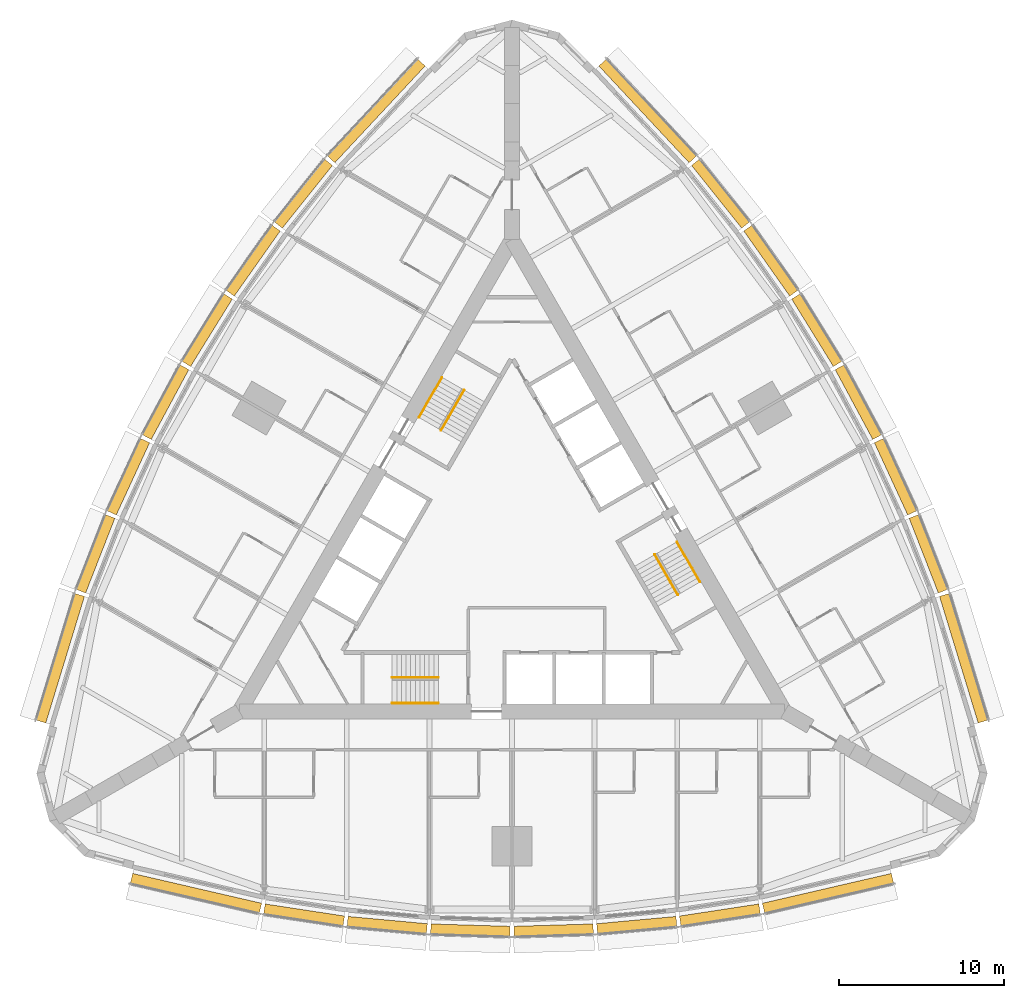
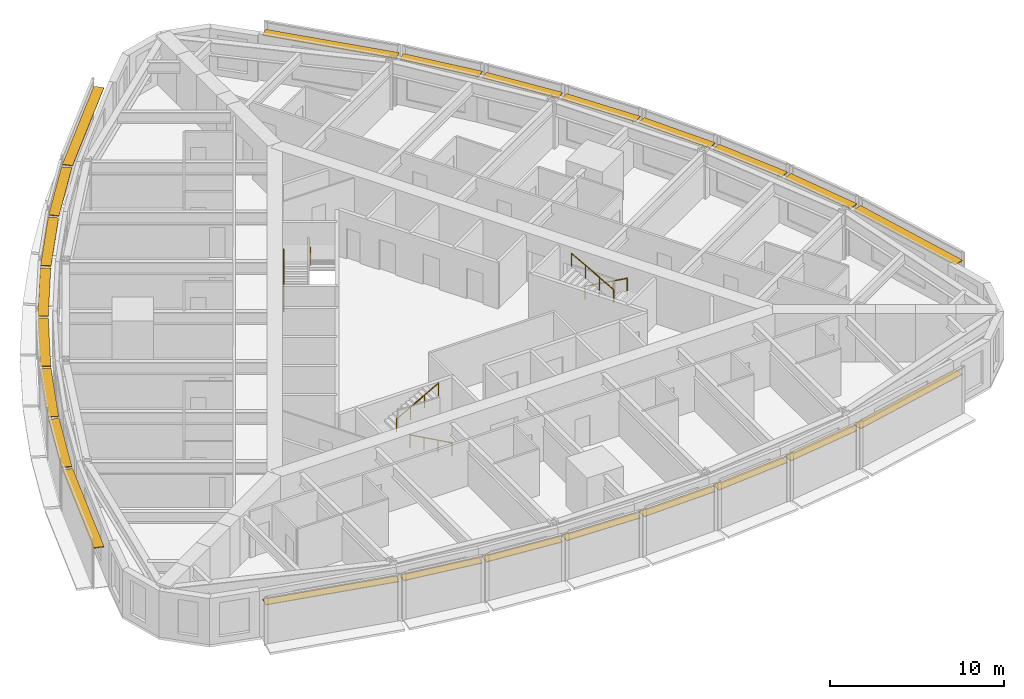
# One storey, part 14 of 14: 24 shading devices, 6 railings.
"""IFC4 building model written with IfcOpenShell, lengths in metres."""

import ifcopenshell
import ifcopenshell.guid

model = None  # the IFC model being written
_history = None  # IfcOwnerHistory: only IFC2X3 demands one
_inside = {}  # id of a spatial element -> (the spatial element, [elements in it])
_under = {}  # id of a project, library or spatial element -> (it, [spatial elements below it])
_declared = {}  # id of a project -> (the project, [libraries it declares])
_typed = {}  # id of a type object -> (the type object, [elements of that type])
_made_of = {}  # id of a material, layer set ... -> (it, [elements and type objects made of it])


def new_model(schema):
    """Start an empty IFC model of exactly this schema.

    Asked for "IFC4X3", IfcOpenShell would pick the latest addendum, in which some entities
    have other attributes; the version numbers below select the first issue.
    IFC2X3 requires an IfcOwnerHistory on every rooted entity: one is made here for all.
    """
    global model, _history
    if schema == "IFC4X3":
        model = ifcopenshell.file(schema_version=(4, 3, 0, 0))
    else:
        model = ifcopenshell.file(schema=schema)
    _inside.clear()
    _under.clear()
    _declared.clear()
    _typed.clear()
    _made_of.clear()
    _history = None
    if model.schema == "IFC2X3":
        org = make("IfcOrganization", Name="unknown")
        user = make(
            "IfcPersonAndOrganization",
            ThePerson=make("IfcPerson", FamilyName="unknown"),
            TheOrganization=org,
        )
        app = make(
            "IfcApplication",
            ApplicationDeveloper=org,
            Version="unknown",
            ApplicationFullName="unknown",
            ApplicationIdentifier="unknown",
        )
        _history = make(
            "IfcOwnerHistory",
            OwningUser=user,
            OwningApplication=app,
            ChangeAction="ADDED",
            CreationDate=0,
        )
    return model


def make(cls, **values):
    """One entity of the class cls with the attributes given. An attribute that is None is left unset."""
    return model.create_entity(
        cls, **{name: value for name, value in values.items() if value is not None}
    )


def rooted(cls, **values):
    """An entity with a GlobalId (a new one), such as an element, a storey or a relation."""
    return make(cls, GlobalId=ifcopenshell.guid.new(), OwnerHistory=_history, **values)


def si_unit(unit_type, name, prefix=None):
    """IfcSIUnit, for example si_unit("LENGTHUNIT", "METRE", prefix="MILLI")."""
    return make("IfcSIUnit", UnitType=unit_type, Prefix=prefix, Name=name)


def assignment(units):
    """IfcUnitAssignment: the units of a project."""
    return None if units is None else make("IfcUnitAssignment", Units=units)


def point(xyz):
    """IfcCartesianPoint."""
    return None if xyz is None else make("IfcCartesianPoint", Coordinates=xyz)


def direction(xyz):
    """IfcDirection."""
    return None if xyz is None else make("IfcDirection", DirectionRatios=xyz)


def frame(location, z_axis=None, x_axis=None):
    """IfcAxis2Placement3D, a coordinate frame: its origin and axes. An axis left out is left unset."""
    return make(
        "IfcAxis2Placement3D",
        Location=point(location),
        Axis=direction(z_axis),
        RefDirection=direction(x_axis),
    )


def frame_2d(location, x_axis=None):
    """IfcAxis2Placement2D, a coordinate frame in the plane: its origin and x axis."""
    return make(
        "IfcAxis2Placement2D", Location=point(location), RefDirection=direction(x_axis)
    )


def origin():
    """The frame at (0, 0, 0) with its axes left unset."""
    return frame((0.0, 0.0, 0.0))


def origin_2d():
    """The frame at (0, 0) in the plane with its x axis left unset."""
    return frame_2d((0.0, 0.0))


def place(relative_to, where):
    """IfcLocalPlacement: puts the frame where relative to a parent placement (None: the world)."""
    return make(
        "IfcLocalPlacement", PlacementRelTo=relative_to, RelativePlacement=where
    )


def context(
    kind, dimensions, precision=None, world=None, true_north=None, identifier=None
):
    """IfcGeometricRepresentationContext, for example the 3D "Model" context."""
    return make(
        "IfcGeometricRepresentationContext",
        ContextIdentifier=identifier,
        ContextType=kind,
        CoordinateSpaceDimension=dimensions,
        Precision=precision,
        WorldCoordinateSystem=world,
        TrueNorth=true_north,
    )


def subcontext(parent, identifier, kind, view, scale=None):
    """IfcGeometricRepresentationSubContext, for example "Body" below "Model"."""
    return make(
        "IfcGeometricRepresentationSubContext",
        ContextIdentifier=identifier,
        ContextType=kind,
        ParentContext=parent,
        TargetScale=scale,
        TargetView=view,
    )


def project(units=None, contexts=None):
    """IfcProject with its units and contexts."""
    return rooted(
        "IfcProject",
        Name="project",
        RepresentationContexts=contexts,
        UnitsInContext=assignment(units),
    )


def spatial(cls, under=None, at=None, **own):
    """A site, building, storey or space (cls), placed at a placement, below another one or the project."""
    s = rooted(cls, ObjectPlacement=at, **own)
    if under is not None:
        _under.setdefault(under.id(), (under, []))[1].append(s)
    return s


def profile(cls, at=None, kind="AREA", **sizes):
    """A parametric profile (cls). Its sizes go by their IFC names, for example OverallWidth=200.0."""
    return make(cls, ProfileType=kind, Position=at, **sizes)


def rectangle(**sizes):
    """IfcRectangleProfileDef."""
    return profile("IfcRectangleProfileDef", **sizes)


def circle(**sizes):
    """IfcCircleProfileDef."""
    return profile("IfcCircleProfileDef", **sizes)


def extrude(swept, where, along, depth):
    """IfcExtrudedAreaSolid: the profile swept, set in the frame where, extruded along a direction by depth."""
    return make(
        "IfcExtrudedAreaSolid",
        SweptArea=swept,
        Position=where,
        ExtrudedDirection=direction(along),
        Depth=depth,
    )


def shape(context_of_items, identifier, shape_type, items):
    """IfcShapeRepresentation: the items that make up one representation, for example the "Body"."""
    return make(
        "IfcShapeRepresentation",
        ContextOfItems=context_of_items,
        RepresentationIdentifier=identifier,
        RepresentationType=shape_type,
        Items=items,
    )


def material(Name=None, Category=None):
    """IfcMaterial."""
    return make("IfcMaterial", Name=Name, Category=Category)


def made_of(thing, what):
    """Note that an element or type object is made of a material, layer set ...; save() writes the relation."""
    if what is not None:
        _made_of.setdefault(what.id(), (what, []))[1].append(thing)
    return thing


def type_object(cls, material=None, **own):
    """A type object (cls), such as IfcWallType, which elements share."""
    return made_of(rooted(cls, **own), material)


def element(
    cls,
    number,
    at=None,
    inside=None,
    cuts=None,
    type_object=None,
    material=None,
    context=None,
    identifier="Body",
    shape_type=None,
    held_by="IfcProductDefinitionShape",
    body=None,
    shapes=None,
    **own,
):
    """One element of the class cls, such as IfcWall. Its Tag is "e" and its number.

    at: its placement. inside: the storey or other place that contains it. cuts: it is an
    opening in that element (IfcRelVoidsElement). A single representation is given by context,
    identifier, shape_type and body (its items); several are given by shapes. held_by: the class
    of the entity that holds the representations. save() writes the other relations.
    """
    e = rooted(cls, Tag="e%d" % number, ObjectPlacement=at, **own)
    if body is not None:
        shapes = [shape(context, identifier, shape_type, body)]
    if shapes is not None:
        e.Representation = make(held_by, Representations=shapes)
    if inside is not None:
        _inside.setdefault(inside.id(), (inside, []))[1].append(e)
    if cuts is not None:
        rooted(
            "IfcRelVoidsElement", RelatingBuildingElement=cuts, RelatedOpeningElement=e
        )
    if type_object is not None:
        _typed.setdefault(type_object.id(), (type_object, []))[1].append(e)
    return made_of(e, material)


def aggregate(whole, parts):
    """IfcRelAggregates: a whole, such as a stair, and the parts it consists of."""
    return rooted("IfcRelAggregates", RelatingObject=whole, RelatedObjects=parts)


def save(model, path):
    """Write the relations noted so far, then the file.

    IfcRelAggregates (storeys below a building ...), IfcRelContainedInSpatialStructure (elements
    in a storey), IfcRelDefinesByType, IfcRelAssociatesMaterial and IfcRelDeclares: one each for
    every whole, place, type object, material and project.
    """
    for whole, parts in _under.values():
        aggregate(whole, parts)
    for where, things in _inside.values():
        rooted(
            "IfcRelContainedInSpatialStructure",
            RelatedElements=things,
            RelatingStructure=where,
        )
    for kind, things in _typed.values():
        rooted("IfcRelDefinesByType", RelatedObjects=things, RelatingType=kind)
    for what, things in _made_of.values():
        rooted("IfcRelAssociatesMaterial", RelatedObjects=things, RelatingMaterial=what)
    for by, libraries in _declared.values():
        rooted("IfcRelDeclares", RelatingContext=by, RelatedDefinitions=libraries)
    model.write(path)


model = new_model("IFC4")

# Units and contexts
model_context = context("Model", 3, precision=1e-05, world=origin(), true_north=direction((0.0, 1.0)))
body_context = subcontext(model_context, "Body", "Model", "MODEL_VIEW")
ifc_project = project(units=[si_unit("LENGTHUNIT", "METRE"), si_unit("AREAUNIT", "SQUARE_METRE"), si_unit("VOLUMEUNIT", "CUBIC_METRE"), si_unit("PLANEANGLEUNIT", "RADIAN"), si_unit("MASSUNIT", "GRAM", prefix="KILO")], contexts=[model_context])

# Site, building, storey
site_placement = place(None, origin())
site = spatial("IfcSite", under=ifc_project, at=site_placement, CompositionType="ELEMENT")
building_placement = place(site_placement, origin())
building = spatial("IfcBuilding", under=site, at=building_placement, Name="Trikona Tower", CompositionType="ELEMENT")
storey_placement = place(building_placement, frame((0.0, 0.0, 86.300048828125)))
storey = spatial("IfcBuildingStorey", under=building, at=storey_placement, Name="L22", CompositionType="ELEMENT", Elevation=86.300048828125)

# Shading devices
ifc_material_1 = material(Name="Aluminium louvre blade, pale anodised", Category="aluminium")
shading_device_type = type_object("IfcShadingDeviceType", Name="Cavity louvre 600", PredefinedType="USERDEFINED", material=ifc_material_1)
shading_device_1_placement = place(storey_placement, frame((-19.126220703125, -20.5234375, 2.77490234375), z_axis=(0.0, 0.0, 1.0), x_axis=(0.974277718622, -0.225350675607, 0.0)))
element("IfcShadingDevice", 1, at=shading_device_1_placement, inside=storey, type_object=shading_device_type, Name="Cavity louvre L22-00", ObjectType="LOUVRE", PredefinedType="USERDEFINED", context=body_context, shape_type="SweptSolid", body=[
    extrude(rectangle(XDim=8.01123046875, YDim=0.60009765625, at=origin_2d()), origin(), (0.0, 0.0, 1.0), 0.050048828125),
])
shading_device_2_placement = place(storey_placement, frame((-12.584228515625, -21.837158203125, 2.77490234375), z_axis=(0.0, 0.0, 1.0), x_axis=(0.988617896768, -0.150448177754, 0.0)))
element("IfcShadingDevice", 2, at=shading_device_2_placement, inside=storey, type_object=shading_device_type, Name="Cavity louvre L22-01", ObjectType="LOUVRE", PredefinedType="USERDEFINED", context=body_context, shape_type="SweptSolid", body=[
    extrude(rectangle(XDim=4.857666015625, YDim=0.60009765625, at=origin_2d()), origin(), (0.0, 0.0, 1.0), 0.050048828125),
])
shading_device_3_placement = place(storey_placement, frame((-7.55078125, -22.44970703125, 2.77490234375), z_axis=(0.0, 0.0, 1.0), x_axis=(0.995858098326, -0.090921108655, 0.0)))
element("IfcShadingDevice", 3, at=shading_device_3_placement, inside=storey, type_object=shading_device_type, Name="Cavity louvre L22-02", ObjectType="LOUVRE", PredefinedType="USERDEFINED", context=body_context, shape_type="SweptSolid", body=[
    extrude(rectangle(XDim=4.82080078125, YDim=0.60009765625, at=origin_2d()), origin(), (0.0, 0.0, 1.0), 0.050048828125),
])
for number, where, z_axis, x_axis, name in (
    (4, (-2.51708984375, -22.756103515625, 2.77490234375), (0.0, 0.0, 1.0), (0.999537048889, -0.030425119525, 0.0), "Cavity louvre L22-03"),
    (5, (2.51708984375, -22.756103515625, 2.77490234375), (0.0, 0.0, 1.0), (0.999537048889, 0.030425119525, 0.0), "Cavity louvre L22-04"),
):
    element("IfcShadingDevice", number, at=place(storey_placement, frame(where, z_axis=z_axis, x_axis=x_axis)), inside=storey, type_object=shading_device_type, Name=name, ObjectType="LOUVRE", PredefinedType="USERDEFINED", context=body_context, shape_type="SweptSolid", body=[
        extrude(rectangle(XDim=4.80224609375, YDim=0.60009765625, at=origin_2d()), origin(), (0.0, 0.0, 1.0), 0.050048828125),
    ])
shading_device_4_placement = place(storey_placement, frame((7.55078125, -22.44970703125, 2.77490234375), z_axis=(0.0, 0.0, 1.0), x_axis=(0.995858098326, 0.090921108655, 0.0)))
element("IfcShadingDevice", 6, at=shading_device_4_placement, inside=storey, type_object=shading_device_type, Name="Cavity louvre L22-05", ObjectType="LOUVRE", PredefinedType="USERDEFINED", context=body_context, shape_type="SweptSolid", body=[
    extrude(rectangle(XDim=4.82080078125, YDim=0.60009765625, at=origin_2d()), origin(), (0.0, 0.0, 1.0), 0.050048828125),
])
shading_device_5_placement = place(storey_placement, frame((12.584228515625, -21.837158203125, 2.77490234375), z_axis=(0.0, 0.0, 1.0), x_axis=(0.988617896768, 0.150448177754, 0.0)))
element("IfcShadingDevice", 7, at=shading_device_5_placement, inside=storey, type_object=shading_device_type, Name="Cavity louvre L22-06", ObjectType="LOUVRE", PredefinedType="USERDEFINED", context=body_context, shape_type="SweptSolid", body=[
    extrude(rectangle(XDim=4.857666015625, YDim=0.60009765625, at=origin_2d()), origin(), (0.0, 0.0, 1.0), 0.050048828125),
])
for number, where, z_axis, x_axis, name in (
    (8, (19.126220703125, -20.5234375, 2.77490234375), (0.0, 0.0, 1.0), (0.974277718622, 0.225350675607, 0.0), "Cavity louvre L22-07"),
    (9, (27.3369140625, -6.302001953125, 2.77490234375), (0.0, 0.0, 1.0), (-0.291979449475, 0.956424592471, 0.0), "Cavity louvre L22-12"),
):
    element("IfcShadingDevice", number, at=place(storey_placement, frame(where, z_axis=z_axis, x_axis=x_axis)), inside=storey, type_object=shading_device_type, Name=name, ObjectType="LOUVRE", PredefinedType="USERDEFINED", context=body_context, shape_type="SweptSolid", body=[
        extrude(rectangle(XDim=8.01123046875, YDim=0.60009765625, at=origin_2d()), origin(), (0.0, 0.0, 1.0), 0.050048828125),
    ])
shading_device_6_placement = place(storey_placement, frame((25.20361328125, 0.020263671875, 2.77490234375), z_axis=(0.0, 0.0, 1.0), x_axis=(-0.364008876551, 0.931395478726, 0.0)))
element("IfcShadingDevice", 10, at=shading_device_6_placement, inside=storey, type_object=shading_device_type, Name="Cavity louvre L22-13", ObjectType="LOUVRE", PredefinedType="USERDEFINED", context=body_context, shape_type="SweptSolid", body=[
    extrude(rectangle(XDim=4.857666015625, YDim=0.60009765625, at=origin_2d()), origin(), (0.0, 0.0, 1.0), 0.050048828125),
])
shading_device_7_placement = place(storey_placement, frame((23.217529296875, 4.685546875, 2.77490234375), z_axis=(0.0, 0.0, 1.0), x_axis=(-0.41919381307, 0.907896771161, 0.0)))
element("IfcShadingDevice", 11, at=shading_device_7_placement, inside=storey, type_object=shading_device_type, Name="Cavity louvre L22-14", ObjectType="LOUVRE", PredefinedType="USERDEFINED", context=body_context, shape_type="SweptSolid", body=[
    extrude(rectangle(XDim=4.82080078125, YDim=0.60009765625, at=origin_2d()), origin(), (0.0, 0.0, 1.0), 0.050048828125),
])
for number, where, z_axis, x_axis, name in (
    (12, (20.966064453125, 9.1982421875, 2.77490234375), (0.0, 0.0, 1.0), (-0.473422672721, 0.880835383572, 0.0), "Cavity louvre L22-15"),
    (13, (18.448974609375, 13.557861328125, 2.77490234375), (0.0, 0.0, 1.0), (-0.526118935114, 0.85041099835, 0.0), "Cavity louvre L22-16"),
):
    element("IfcShadingDevice", number, at=place(storey_placement, frame(where, z_axis=z_axis, x_axis=x_axis)), inside=storey, type_object=shading_device_type, Name=name, ObjectType="LOUVRE", PredefinedType="USERDEFINED", context=body_context, shape_type="SweptSolid", body=[
        extrude(rectangle(XDim=4.80224609375, YDim=0.60009765625, at=origin_2d()), origin(), (0.0, 0.0, 1.0), 0.050048828125),
    ])
shading_device_8_placement = place(storey_placement, frame((15.666748046875, 17.76416015625, 2.77490234375), z_axis=(0.0, 0.0, 1.0), x_axis=(-0.576661909499, 0.816982889743, 0.0)))
element("IfcShadingDevice", 14, at=shading_device_8_placement, inside=storey, type_object=shading_device_type, Name="Cavity louvre L22-17", ObjectType="LOUVRE", PredefinedType="USERDEFINED", context=body_context, shape_type="SweptSolid", body=[
    extrude(rectangle(XDim=4.82080078125, YDim=0.60009765625, at=origin_2d()), origin(), (0.0, 0.0, 1.0), 0.050048828125),
])
shading_device_9_placement = place(storey_placement, frame((12.619384765625, 21.81689453125, 2.77490234375), z_axis=(0.0, 0.0, 1.0), x_axis=(-0.624603618277, 0.780941944087, 0.0)))
element("IfcShadingDevice", 15, at=shading_device_9_placement, inside=storey, type_object=shading_device_type, Name="Cavity louvre L22-18", ObjectType="LOUVRE", PredefinedType="USERDEFINED", context=body_context, shape_type="SweptSolid", body=[
    extrude(rectangle(XDim=4.857666015625, YDim=0.60009765625, at=origin_2d()), origin(), (0.0, 0.0, 1.0), 0.050048828125),
])
for number, where, z_axis, x_axis, name in (
    (16, (8.210693359375, 26.825439453125, 2.77490234375), (0.0, 0.0, 1.0), (-0.682298269147, 0.731073916864, 0.0), "Cavity louvre L22-19"),
    (17, (-8.210693359375, 26.825439453125, 2.77490234375), (0.0, 0.0, 1.0), (-0.682298269147, -0.731073916864, 0.0), "Cavity louvre L22-24"),
):
    element("IfcShadingDevice", number, at=place(storey_placement, frame(where, z_axis=z_axis, x_axis=x_axis)), inside=storey, type_object=shading_device_type, Name=name, ObjectType="LOUVRE", PredefinedType="USERDEFINED", context=body_context, shape_type="SweptSolid", body=[
        extrude(rectangle(XDim=8.01123046875, YDim=0.60009765625, at=origin_2d()), origin(), (0.0, 0.0, 1.0), 0.050048828125),
    ])
shading_device_10_placement = place(storey_placement, frame((-12.619384765625, 21.81689453125, 2.77490234375), z_axis=(0.0, 0.0, 1.0), x_axis=(-0.624603618277, -0.780941944087, 0.0)))
element("IfcShadingDevice", 18, at=shading_device_10_placement, inside=storey, type_object=shading_device_type, Name="Cavity louvre L22-25", ObjectType="LOUVRE", PredefinedType="USERDEFINED", context=body_context, shape_type="SweptSolid", body=[
    extrude(rectangle(XDim=4.857666015625, YDim=0.60009765625, at=origin_2d()), origin(), (0.0, 0.0, 1.0), 0.050048828125),
])
shading_device_11_placement = place(storey_placement, frame((-15.666748046875, 17.76416015625, 2.77490234375), z_axis=(0.0, 0.0, 1.0), x_axis=(-0.576661909499, -0.816982889743, 0.0)))
element("IfcShadingDevice", 19, at=shading_device_11_placement, inside=storey, type_object=shading_device_type, Name="Cavity louvre L22-26", ObjectType="LOUVRE", PredefinedType="USERDEFINED", context=body_context, shape_type="SweptSolid", body=[
    extrude(rectangle(XDim=4.82080078125, YDim=0.60009765625, at=origin_2d()), origin(), (0.0, 0.0, 1.0), 0.050048828125),
])
for number, where, z_axis, x_axis, name in (
    (20, (-18.448974609375, 13.557861328125, 2.77490234375), (0.0, 0.0, 1.0), (-0.526118935114, -0.85041099835, 0.0), "Cavity louvre L22-27"),
    (21, (-20.966064453125, 9.1982421875, 2.77490234375), (0.0, 0.0, 1.0), (-0.473422672721, -0.880835383572, 0.0), "Cavity louvre L22-28"),
):
    element("IfcShadingDevice", number, at=place(storey_placement, frame(where, z_axis=z_axis, x_axis=x_axis)), inside=storey, type_object=shading_device_type, Name=name, ObjectType="LOUVRE", PredefinedType="USERDEFINED", context=body_context, shape_type="SweptSolid", body=[
        extrude(rectangle(XDim=4.80224609375, YDim=0.60009765625, at=origin_2d()), origin(), (0.0, 0.0, 1.0), 0.050048828125),
    ])
shading_device_12_placement = place(storey_placement, frame((-23.217529296875, 4.685546875, 2.77490234375), z_axis=(0.0, 0.0, 1.0), x_axis=(-0.41919381307, -0.907896771161, 0.0)))
element("IfcShadingDevice", 22, at=shading_device_12_placement, inside=storey, type_object=shading_device_type, Name="Cavity louvre L22-29", ObjectType="LOUVRE", PredefinedType="USERDEFINED", context=body_context, shape_type="SweptSolid", body=[
    extrude(rectangle(XDim=4.82080078125, YDim=0.60009765625, at=origin_2d()), origin(), (0.0, 0.0, 1.0), 0.050048828125),
])
shading_device_13_placement = place(storey_placement, frame((-25.20361328125, 0.020263671875, 2.77490234375), z_axis=(0.0, 0.0, 1.0), x_axis=(-0.364008876551, -0.931395478726, 0.0)))
element("IfcShadingDevice", 23, at=shading_device_13_placement, inside=storey, type_object=shading_device_type, Name="Cavity louvre L22-30", ObjectType="LOUVRE", PredefinedType="USERDEFINED", context=body_context, shape_type="SweptSolid", body=[
    extrude(rectangle(XDim=4.857666015625, YDim=0.60009765625, at=origin_2d()), origin(), (0.0, 0.0, 1.0), 0.050048828125),
])
shading_device_14_placement = place(storey_placement, frame((-27.3369140625, -6.302001953125, 2.77490234375), z_axis=(0.0, 0.0, 1.0), x_axis=(-0.291979449475, -0.956424592471, 0.0)))
element("IfcShadingDevice", 24, at=shading_device_14_placement, inside=storey, type_object=shading_device_type, Name="Cavity louvre L22-31", ObjectType="LOUVRE", PredefinedType="USERDEFINED", context=body_context, shape_type="SweptSolid", body=[
    extrude(rectangle(XDim=8.01123046875, YDim=0.60009765625, at=origin_2d()), origin(), (0.0, 0.0, 1.0), 0.050048828125),
])

# Railings
ifc_material_2 = material(Name="Stainless steel handrail", Category="steel")
railing_type = type_object("IfcRailingType", Name="Stair handrail", PredefinedType="HANDRAIL", material=ifc_material_2)
railing_1_placement = place(storey_placement, frame((-4.449951171875, -9.016357421875, 0.154541015625)))
element("IfcRailing", 25, at=railing_1_placement, inside=storey, type_object=railing_type, Name="Stair handrail A L22 1", PredefinedType="HANDRAIL", context=body_context, shape_type="SweptSolid", body=[
    extrude(circle(Radius=0.02392578125, at=origin_2d()), frame((0.0, 0.0, 0.8759765625), z_axis=(-0.875504190374, 0.0, 0.483210526207), x_axis=(0.0, -1.0, 0.0)), (0.0, 0.0, 1.0), 3.1982421875),
    extrude(circle(Radius=0.02099609375, at=origin_2d()), origin(), (0.0, 0.0, 1.0), 0.851806640625),
    extrude(circle(Radius=0.02099609375, at=origin_2d()), frame((-0.933349609375, 0.0, 0.51513671875)), (0.0, 0.0, 1.0), 0.851806640625),
    extrude(circle(Radius=0.02099609375, at=origin_2d()), frame((-1.86669921875, 0.0, 1.0302734375)), (0.0, 0.0, 1.0), 0.851806640625),
    extrude(circle(Radius=0.02099609375, at=origin_2d()), frame((-2.800048828125, 0.0, 1.54541015625)), (0.0, 0.0, 1.0), 0.851806640625),
])
railing_2_placement = place(storey_placement, frame((-7.25, -7.46630859375, 1.8544921875)))
element("IfcRailing", 26, at=railing_2_placement, inside=storey, type_object=railing_type, Name="Stair handrail A L22 2", PredefinedType="HANDRAIL", context=body_context, shape_type="SweptSolid", body=[
    extrude(circle(Radius=0.02392578125, at=origin_2d()), frame((0.0, 0.0, 0.8759765625), z_axis=(0.875504190374, 0.0, 0.483210526207), x_axis=(0.0, 1.0, 0.0)), (0.0, 0.0, 1.0), 3.1982421875),
    extrude(circle(Radius=0.02099609375, at=origin_2d()), origin(), (0.0, 0.0, 1.0), 0.851806640625),
    extrude(circle(Radius=0.02099609375, at=origin_2d()), frame((0.933349609375, 0.0, 0.51513671875)), (0.0, 0.0, 1.0), 0.851806640625),
    extrude(circle(Radius=0.02099609375, at=origin_2d()), frame((1.86669921875, 0.0, 1.0302734375)), (0.0, 0.0, 1.0), 0.851806640625),
    extrude(circle(Radius=0.02099609375, at=origin_2d()), frame((2.800048828125, 0.0, 1.54541015625)), (0.0, 0.0, 1.0), 0.851806640625),
])
railing_3_placement = place(storey_placement, frame((9.9833984375, 0.740966796875, 0.154541015625)))
element("IfcRailing", 27, at=railing_3_placement, inside=storey, type_object=railing_type, Name="Stair handrail B L22 1", PredefinedType="HANDRAIL", context=body_context, shape_type="SweptSolid", body=[
    extrude(circle(Radius=0.02392578125, at=origin_2d()), frame((0.0, 0.0, 0.8759765625), z_axis=(0.437707188162, -0.758239536103, 0.483203087036), x_axis=(0.866056369097, 0.49994636267, 0.0)), (0.0, 0.0, 1.0), 3.1982421875),
    extrude(circle(Radius=0.02099609375, at=origin_2d()), origin(), (0.0, 0.0, 1.0), 0.851806640625),
    extrude(circle(Radius=0.02099609375, at=origin_2d()), frame((0.466552734375, -0.808349609375, 0.51513671875)), (0.0, 0.0, 1.0), 0.851806640625),
    extrude(circle(Radius=0.02099609375, at=origin_2d()), frame((0.933349609375, -1.61669921875, 1.0302734375)), (0.0, 0.0, 1.0), 0.851806640625),
    extrude(circle(Radius=0.02099609375, at=origin_2d()), frame((1.39990234375, -2.425048828125, 1.54541015625)), (0.0, 0.0, 1.0), 0.851806640625),
])
railing_4_placement = place(storey_placement, frame((10.041015625, -2.458984375, 1.8544921875)))
element("IfcRailing", 28, at=railing_4_placement, inside=storey, type_object=railing_type, Name="Stair handrail B L22 2", PredefinedType="HANDRAIL", context=body_context, shape_type="SweptSolid", body=[
    extrude(circle(Radius=0.02392578125, at=origin_2d()), frame((0.0, 0.0, 0.8759765625), z_axis=(-0.437707188162, 0.758239536103, 0.483203087036), x_axis=(-0.866056369097, -0.49994636267, 0.0)), (0.0, 0.0, 1.0), 3.1982421875),
    extrude(circle(Radius=0.02099609375, at=origin_2d()), origin(), (0.0, 0.0, 1.0), 0.851806640625),
    extrude(circle(Radius=0.02099609375, at=origin_2d()), frame((-0.466552734375, 0.808349609375, 0.51513671875)), (0.0, 0.0, 1.0), 0.851806640625),
    extrude(circle(Radius=0.02099609375, at=origin_2d()), frame((-0.933349609375, 1.61669921875, 1.0302734375)), (0.0, 0.0, 1.0), 0.851806640625),
    extrude(circle(Radius=0.02099609375, at=origin_2d()), frame((-1.39990234375, 2.425048828125, 1.54541015625)), (0.0, 0.0, 1.0), 0.851806640625),
])
railing_5_placement = place(storey_placement, frame((-5.63330078125, 8.275390625, 0.154541015625)))
element("IfcRailing", 29, at=railing_5_placement, inside=storey, type_object=railing_type, Name="Stair handrail C L22 1", PredefinedType="HANDRAIL", context=body_context, shape_type="SweptSolid", body=[
    extrude(circle(Radius=0.02392578125, at=origin_2d()), frame((0.0, 0.0, 0.8759765625), z_axis=(0.437732523806, 0.758207085183, 0.483231056102), x_axis=(-0.866034573852, 0.49998411664, 0.0)), (0.0, 0.0, 1.0), 3.197998046875),
    extrude(circle(Radius=0.02099609375, at=origin_2d()), origin(), (0.0, 0.0, 1.0), 0.851806640625),
    extrude(circle(Radius=0.02099609375, at=origin_2d()), frame((0.466552734375, 0.808349609375, 0.51513671875)), (0.0, 0.0, 1.0), 0.851806640625),
    extrude(circle(Radius=0.02099609375, at=origin_2d()), frame((0.933349609375, 1.616455078125, 1.0302734375)), (0.0, 0.0, 1.0), 0.851806640625),
    extrude(circle(Radius=0.02099609375, at=origin_2d()), frame((1.39990234375, 2.4248046875, 1.54541015625)), (0.0, 0.0, 1.0), 0.851806640625),
])
railing_6_placement = place(storey_placement, frame((-2.89111328125, 9.92529296875, 1.8544921875)))
element("IfcRailing", 30, at=railing_6_placement, inside=storey, type_object=railing_type, Name="Stair handrail C L22 2", PredefinedType="HANDRAIL", context=body_context, shape_type="SweptSolid", body=[
    extrude(circle(Radius=0.02392578125, at=origin_2d()), frame((0.0, 0.0, 0.8759765625), z_axis=(-0.437707188162, -0.758239536103, 0.483203087036), x_axis=(0.866056369097, -0.49994636267, 0.0)), (0.0, 0.0, 1.0), 3.1982421875),
    extrude(circle(Radius=0.02099609375, at=origin_2d()), origin(), (0.0, 0.0, 1.0), 0.851806640625),
    extrude(circle(Radius=0.02099609375, at=origin_2d()), frame((-0.466552734375, -0.808349609375, 0.51513671875)), (0.0, 0.0, 1.0), 0.851806640625),
    extrude(circle(Radius=0.02099609375, at=origin_2d()), frame((-0.933349609375, -1.61669921875, 1.0302734375)), (0.0, 0.0, 1.0), 0.851806640625),
    extrude(circle(Radius=0.02099609375, at=origin_2d()), frame((-1.39990234375, -2.425048828125, 1.54541015625)), (0.0, 0.0, 1.0), 0.851806640625),
])

save(model, "model.ifc")
